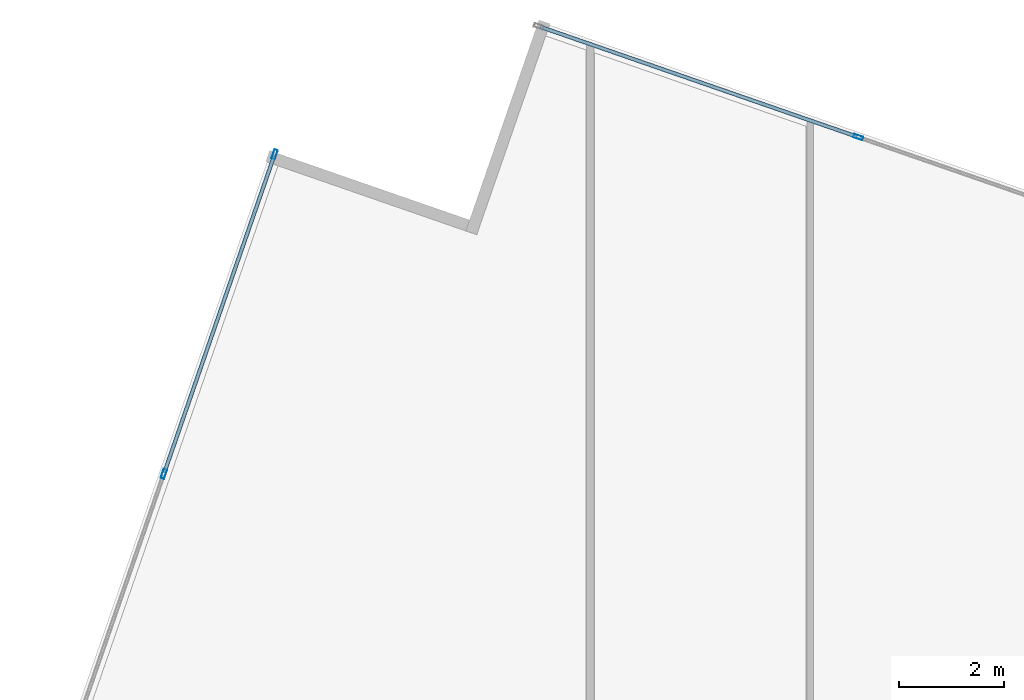
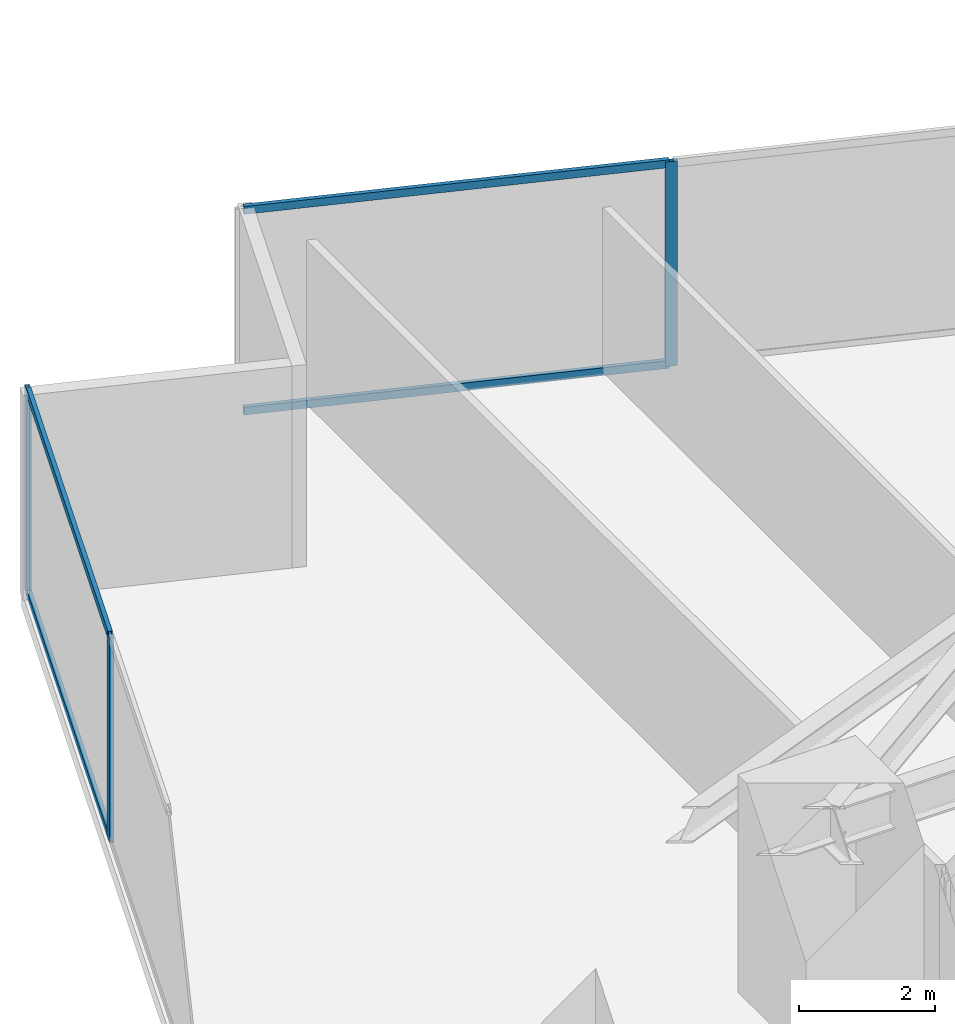
# One storey, part 17 of 28: 7 members, 2 elements without a shape of their own.
"""IFC4 building model written with IfcOpenShell, lengths in metres."""

from ifc_helpers import new_model, si_unit, direction, frame, origin, origin_2d, place, context, subcontext, project, spatial, hollow_rectangle, extrude, source, transform, mapped, material, material_profile, profile_set, type_object, type_shapes, element, aggregate, save


model = new_model("IFC4")

# Units and contexts
model_context = context("Model", 3, precision=1e-05, world=origin(), true_north=direction((0.0, 1.0)))
body_context = subcontext(model_context, "Body", "Model", "MODEL_VIEW")
ifc_project = project(units=[si_unit("LENGTHUNIT", "METRE"), si_unit("AREAUNIT", "SQUARE_METRE"), si_unit("VOLUMEUNIT", "CUBIC_METRE"), si_unit("PLANEANGLEUNIT", "RADIAN"), si_unit("MASSUNIT", "GRAM", prefix="KILO")], contexts=[model_context])

# Site, building, storey
site_placement = place(None, origin())
site = spatial("IfcSite", under=ifc_project, at=site_placement, CompositionType="ELEMENT")
building_placement = place(site_placement, origin())
building = spatial("IfcBuilding", under=site, at=building_placement, Name="Krantzveldt Concourse Tower", CompositionType="ELEMENT")
storey_placement = place(building_placement, frame((0.0, 0.0, 117.699951171875)))
storey = spatial("IfcBuildingStorey", under=building, at=storey_placement, Name="L28", CompositionType="ELEMENT", Elevation=117.699951171875)

# Curtain wall, members
ifc_material = material(Name="Anodised aluminium 6063-T6", Category="aluminium")
curtain_wall_type = type_object("IfcCurtainWallType", Name="CW2", PredefinedType="USERDEFINED", material=ifc_material)
curtain_wall_1_placement = place(storey_placement, origin())
curtain_wall_1 = element("IfcCurtainWall", 1, at=curtain_wall_1_placement, inside=storey, type_object=curtain_wall_type, Name="CW-L28-F01", ObjectType="UNITISED CURTAIN WALL", PredefinedType="USERDEFINED")
ifc_material_profile_1 = material_profile(ifc_material, hollow_rectangle(XDim=0.070068359375, YDim=0.179931640625, WallThickness=0.0048828125, at=origin_2d()), Name="Anodised aluminium 6063-T6", Category="aluminium")
ifc_profile_set_1 = profile_set([ifc_material_profile_1], Name="Anodised aluminium 6063-T6 - ALU-MULL 180x70x5")
member_type_1 = type_object("IfcMemberType", Name="CW-MUL-180", PredefinedType="MULLION", material=ifc_profile_set_1)
shared_shape_1 = source(origin(), body_context, "Body", "SweptSolid", [
    extrude(hollow_rectangle(XDim=0.070068359375, YDim=0.179931640625, WallThickness=0.0048828125, at=origin_2d()), origin(), (0.0, 0.0, 1.0), 3.670166015625),
])
type_shapes(member_type_1, [shared_shape_1])
member_1_placement = place(storey_placement, frame((20.321044921875, 52.63330078125, 0.0), z_axis=(0.0, 0.0, 1.0), x_axis=(0.944806041446, -0.32763019404, 0.0)))
member_1 = element("IfcMember", 2, at=member_1_placement, type_object=member_type_1, Name="CW-Z12 mullion 1", PredefinedType="MULLION", context=body_context, shape_type="MappedRepresentation", body=[
    mapped(shared_shape_1, transform((0.0, 0.0, 0.0), x_axis=(1.0, 0.0, 0.0), y_axis=(0.0, 1.0, 0.0), z_axis=(0.0, 0.0, 1.0), scale=1.0)),
])
member_2_placement = place(storey_placement, frame((18.2138671875, 46.556640625, 0.0), z_axis=(0.0, 0.0, 1.0), x_axis=(0.944806041446, -0.32763019404, 0.0)))
member_2 = element("IfcMember", 3, at=member_2_placement, type_object=member_type_1, Name="CW-Z12 mullion 2", PredefinedType="MULLION", context=body_context, shape_type="MappedRepresentation", body=[
    mapped(shared_shape_1, transform((0.0, 0.0, 0.0), x_axis=(1.0, 0.0, 0.0), y_axis=(0.0, 1.0, 0.0), z_axis=(0.0, 0.0, 1.0), scale=1.0)),
])

# Curtain wall, member
curtain_wall_2_placement = place(storey_placement, origin())
curtain_wall_2 = element("IfcCurtainWall", 4, at=curtain_wall_2_placement, inside=storey, type_object=curtain_wall_type, Name="CW-L28-F10", ObjectType="UNITISED CURTAIN WALL", PredefinedType="USERDEFINED")
member_3_placement = place(storey_placement, frame((31.41748046875, 52.960693359375, 0.0), z_axis=(0.0, 0.0, 1.0), x_axis=(-0.32763019404, -0.944806041446, 0.0)))
member_3 = element("IfcMember", 5, at=member_3_placement, type_object=member_type_1, Name="CW-Z12 mullion 6", PredefinedType="MULLION", context=body_context, shape_type="MappedRepresentation", body=[
    mapped(shared_shape_1, transform((0.0, 0.0, 0.0), x_axis=(1.0, 0.0, 0.0), y_axis=(0.0, 1.0, 0.0), z_axis=(0.0, 0.0, 1.0), scale=1.0)),
])

# Member
ifc_material_profile_2 = material_profile(ifc_material, hollow_rectangle(XDim=0.070068359375, YDim=0.139892578125, WallThickness=0.0048828125, at=origin_2d()), Name="Anodised aluminium 6063-T6", Category="aluminium")
ifc_profile_set_2 = profile_set([ifc_material_profile_2], Name="Anodised aluminium 6063-T6 - ALU-TRAN 140x70x5")
member_type_2 = type_object("IfcMemberType", Name="CW-TRN-150", PredefinedType="USERDEFINED", material=ifc_profile_set_2)
shared_shape_2 = source(origin(), body_context, "Body", "SweptSolid", [
    extrude(hollow_rectangle(XDim=0.070068359375, YDim=0.139892578125, WallThickness=0.0048828125, at=origin_2d()), origin(), (0.0, 0.0, 1.0), 6.361572265625),
])
type_shapes(member_type_2, [shared_shape_2])
member_4_placement = place(storey_placement, frame((20.3095703125, 52.60009765625, 0.03515625), z_axis=(-0.327625894764, -0.944807532294, 0.0), x_axis=(0.944807532294, -0.327625894764, 0.0)))
member_4 = element("IfcMember", 6, at=member_4_placement, type_object=member_type_2, Name="CW-Z12 transom 1.1", ObjectType="TRANSOM", PredefinedType="USERDEFINED", context=body_context, shape_type="MappedRepresentation", body=[
    mapped(shared_shape_2, transform((0.0, 0.0, 0.0), x_axis=(1.0, 0.0, 0.0), y_axis=(0.0, 1.0, 0.0), z_axis=(0.0, 0.0, 1.0), scale=1.0)),
])

member_5_placement = place(storey_placement, frame((20.3095703125, 52.60009765625, 3.635009765625), z_axis=(-0.327625894764, -0.944807532294, 0.0), x_axis=(0.944807532294, -0.327625894764, 0.0)))
member_5 = element("IfcMember", 7, at=member_5_placement, type_object=member_type_2, Name="CW-Z12 transom 1.2", ObjectType="TRANSOM", PredefinedType="USERDEFINED", context=body_context, shape_type="MappedRepresentation", body=[
    mapped(shared_shape_2, transform((0.0, 0.0, 0.0), x_axis=(1.0, 0.0, 0.0), y_axis=(0.0, 1.0, 0.0), z_axis=(0.0, 0.0, 1.0), scale=1.0)),
])

aggregate(curtain_wall_1, [member_1, member_2, member_4, member_5])

member_6_placement = place(storey_placement, frame((31.384521484375, 52.97216796875, 0.03515625), z_axis=(-0.944795652423, 0.327660151931, 0.0), x_axis=(-0.327660151931, -0.944795652423, 0.0)))
member_6 = element("IfcMember", 8, at=member_6_placement, type_object=member_type_2, Name="CW-Z12 transom 6.1", ObjectType="TRANSOM", PredefinedType="USERDEFINED", context=body_context, shape_type="MappedRepresentation", body=[
    mapped(shared_shape_2, transform((0.0, 0.0, 0.0), x_axis=(1.0, 0.0, 0.0), y_axis=(0.0, 1.0, 0.0), z_axis=(0.0, 0.0, 1.0), scale=1.0)),
])

member_7_placement = place(storey_placement, frame((31.384521484375, 52.97216796875, 3.635009765625), z_axis=(-0.944795652423, 0.327660151931, 0.0), x_axis=(-0.327660151931, -0.944795652423, 0.0)))
member_7 = element("IfcMember", 9, at=member_7_placement, type_object=member_type_2, Name="CW-Z12 transom 6.2", ObjectType="TRANSOM", PredefinedType="USERDEFINED", context=body_context, shape_type="MappedRepresentation", body=[
    mapped(shared_shape_2, transform((0.0, 0.0, 0.0), x_axis=(1.0, 0.0, 0.0), y_axis=(0.0, 1.0, 0.0), z_axis=(0.0, 0.0, 1.0), scale=1.0)),
])

aggregate(curtain_wall_2, [member_3, member_6, member_7])

save(model, "model.ifc")
